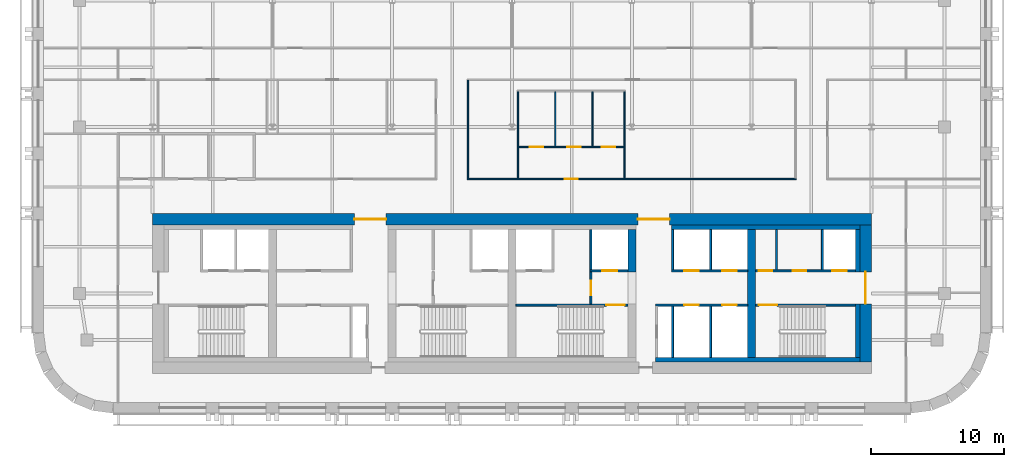
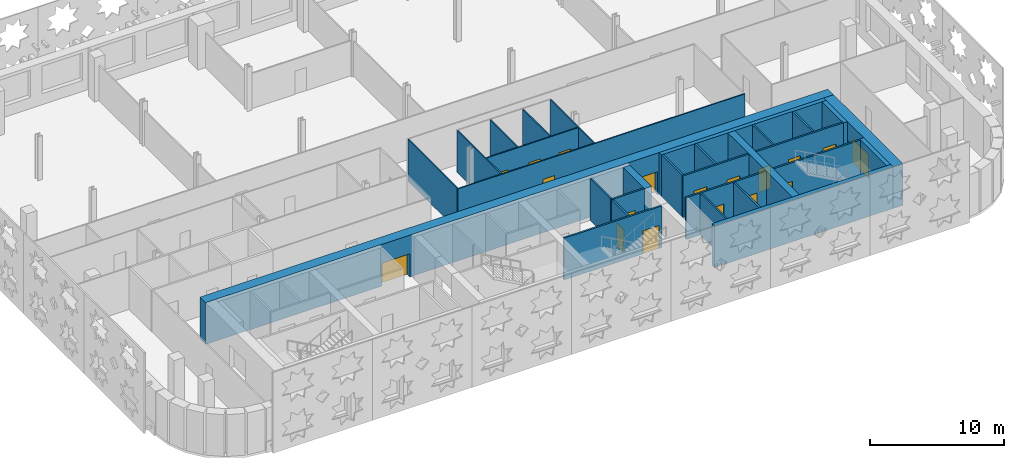
# One storey, part 5 of 12: 29 walls, 18 doors, 18 openings.
"""IFC4 building model written with IfcOpenShell, lengths in metres."""

from ifc_helpers import new_model, si_unit, direction, frame, frame_2d, origin, place, context, subcontext, project, spatial, rectangle, extrude, material, layer, layer_set, type_object, element, fill, save


model = new_model("IFC4")

# Units and contexts
model_context = context("Model", 3, precision=1e-05, world=origin(), true_north=direction((0.0, 1.0)))
body_context = subcontext(model_context, "Body", "Model", "MODEL_VIEW")
ifc_project = project(units=[si_unit("LENGTHUNIT", "METRE"), si_unit("AREAUNIT", "SQUARE_METRE"), si_unit("VOLUMEUNIT", "CUBIC_METRE"), si_unit("PLANEANGLEUNIT", "RADIAN"), si_unit("MASSUNIT", "GRAM", prefix="KILO")], contexts=[model_context])

# Site, building, storey
site_placement = place(None, origin())
site = spatial("IfcSite", under=ifc_project, at=site_placement, CompositionType="ELEMENT")
building_placement = place(site_placement, origin())
building = spatial("IfcBuilding", under=site, at=building_placement, Name="Zellij Exchange Tower", CompositionType="ELEMENT")
storey_placement = place(building_placement, frame((0.0, 0.0, 196.5)))
storey = spatial("IfcBuildingStorey", under=building, at=storey_placement, Name="L45", CompositionType="ELEMENT", Elevation=196.5)

# Walls
ifc_material_1 = material(Name="Concrete C60/75", Category="concrete")
ifc_layer_1 = layer(ifc_material_1, 0.60009765625)
ifc_layer_set_1 = layer_set([ifc_layer_1], Name="Concrete C60/75")
wall_type_1 = type_object("IfcWallType", Name="CORE-CW 600 C60/75", PredefinedType="SHEAR", material=ifc_layer_set_1)
wall_1_placement = place(storey_placement, frame((9.0, -6.375, 0.0), z_axis=(0.0, 0.0, 1.0), x_axis=(0.0, 1.0, 0.0)))
element("IfcWall", 1, at=wall_1_placement, inside=storey, type_object=wall_type_1, Name="Core cross wall pier x 9 b L45", PredefinedType="SHEAR", context=body_context, shape_type="SweptSolid", body=[
    extrude(rectangle(XDim=3.175048828125, YDim=0.60009765625, at=frame_2d((1.58740234375, 0.0))), origin(), (0.0, 0.0, 1.0), 3.800048828125),
])
wall_2_placement = place(storey_placement, frame((18.0, -12.800048828125, 0.0), z_axis=(0.0, 0.0, 1.0), x_axis=(0.0, 1.0, 0.0)))
element("IfcWall", 2, at=wall_2_placement, inside=storey, type_object=wall_type_1, Name="Core cross wall x 18 L45", PredefinedType="SHEAR", context=body_context, shape_type="SweptSolid", body=[
    extrude(rectangle(XDim=9.60009765625, YDim=0.60009765625, at=frame_2d((4.800048828125, 0.0))), origin(), (0.0, 0.0, 1.0), 3.800048828125),
])
ifc_material_2 = material(Name="Concrete C30/37", Category="concrete")
ifc_layer_2 = layer(ifc_material_2, 0.35009765625)
ifc_layer_set_2 = layer_set([ifc_layer_2], Name="Concrete C30/37")
wall_type_2 = type_object("IfcWallType", Name="CORE-LW 350 C30/37", PredefinedType="SHEAR", material=ifc_layer_set_2)
wall_3_placement = place(storey_placement, frame((12.0, -3.02490234375, 0.0), z_axis=(0.0, 0.0, 1.0), x_axis=(1.0, 0.0, 0.0)))
element("IfcWall", 3, at=wall_3_placement, inside=storey, type_object=wall_type_2, Name="Core wall lining front.2 L45", PredefinedType="SHEAR", context=body_context, shape_type="SweptSolid", body=[
    extrude(rectangle(XDim=14.14990234375, YDim=0.35009765625, at=frame_2d((7.074951171875, 0.0))), origin(), (0.0, 0.0, 1.0), 3.800048828125),
])
wall_4_placement = place(storey_placement, frame((10.800048828125, -12.97509765625, 0.0), z_axis=(0.0, 0.0, 1.0), x_axis=(1.0, 0.0, 0.0)))
element("IfcWall", 4, at=wall_4_placement, inside=storey, type_object=wall_type_2, Name="Core wall lining rear.2 L45", PredefinedType="SHEAR", context=body_context, shape_type="SweptSolid", body=[
    extrude(rectangle(XDim=15.349853515625, YDim=0.35009765625, at=frame_2d((7.6748046875, 0.0))), origin(), (0.0, 0.0, 1.0), 3.800048828125),
])
wall_5_placement = place(storey_placement, frame((25.97509765625, -12.800048828125, 0.0), z_axis=(0.0, 0.0, 1.0), x_axis=(0.0, 1.0, 0.0)))
element("IfcWall", 5, at=wall_5_placement, inside=storey, type_object=wall_type_2, Name="Core wall lining end e.0 L45", PredefinedType="SHEAR", context=body_context, shape_type="SweptSolid", body=[
    extrude(rectangle(XDim=4.0, YDim=0.35009765625, at=frame_2d((2.0, 0.0))), origin(), (0.0, 0.0, 1.0), 3.800048828125),
])
wall_6_placement = place(storey_placement, frame((25.97509765625, -6.375, 0.0), z_axis=(0.0, 0.0, 1.0), x_axis=(0.0, 1.0, 0.0)))
element("IfcWall", 6, at=wall_6_placement, inside=storey, type_object=wall_type_2, Name="Core wall lining end e.1 L45", PredefinedType="SHEAR", context=body_context, shape_type="SweptSolid", body=[
    extrude(rectangle(XDim=3.175048828125, YDim=0.35009765625, at=frame_2d((1.58740234375, 0.0))), origin(), (0.0, 0.0, 1.0), 3.800048828125),
])

# Wall, opening, door
ifc_material_3 = material(Name="Gypsum shaft wall system")
ifc_layer_3 = layer(ifc_material_3, 0.14990234375)
ifc_layer_set_3 = layer_set([ifc_layer_3], Name="Gypsum shaft wall system")
wall_type_3 = type_object("IfcWallType", Name="CORE-PW 150 Firefighting lobby wall", PredefinedType="PARTITIONING", material=ifc_layer_set_3)
wall_7_placement = place(storey_placement, frame((5.925048828125, -8.800048828125, 0.0), z_axis=(0.0, 0.0, 1.0), x_axis=(0.0, 1.0, 0.0)))
wall_7 = element("IfcWall", 7, at=wall_7_placement, inside=storey, type_object=wall_type_3, Name="Firefighting lobby wall L45", PredefinedType="PARTITIONING", context=body_context, shape_type="SweptSolid", body=[
    extrude(rectangle(XDim=2.425048828125, YDim=0.14990234375, at=frame_2d((1.21240234375, 0.0))), origin(), (0.0, 0.0, 1.0), 3.800048828125),
])
opening_1_placement = place(wall_7_placement, frame((0.662109375, 0.0, 0.0)))
opening_1 = element("IfcOpeningElement", 8, at=opening_1_placement, cuts=wall_7, Name="Opening CA-24.14", PredefinedType="OPENING", context=body_context, shape_type="SweptSolid", body=[
    extrude(rectangle(XDim=1.10009765625, YDim=2.10009765625, at=frame_2d((0.550048828125, 1.050048828125))), frame((0.0, 0.0869140625, 0.0), z_axis=(0.0, -1.0, 0.0), x_axis=(1.0, 0.0, 0.0)), (0.0, 0.0, 1.0), 0.173828125),
])
ifc_material_4 = material(Name="Hollow metal fire door")
door_type_1 = type_object("IfcDoorType", Name="CORE-D F Firefighting lobby door 1100x2100 1 HR", OperationType="NOTDEFINED", PredefinedType="DOOR", material=ifc_material_4)
door_1_placement = place(opening_1_placement, origin())
door_1 = element("IfcDoor", 9, at=door_1_placement, inside=storey, type_object=door_type_1, Name="Firefighting lobby door CA-24.14", OperationType="SINGLE_SWING_RIGHT", OverallHeight=2.10009765625, OverallWidth=1.10009765625, PredefinedType="DOOR", context=body_context, shape_type="SweptSolid", body=[
    extrude(rectangle(XDim=1.10009765625, YDim=2.10009765625, at=frame_2d((0.550048828125, 1.050048828125))), frame((0.0, 0.02490234375, 0.0), z_axis=(0.0, -1.0, 0.0), x_axis=(1.0, 0.0, 0.0)), (0.0, 0.0, 1.0), 0.050048828125),
])
fill(opening_1, door_1)

# Walls
ifc_material_5 = material(Name="Gypsum board partition")
ifc_layer_4 = layer(ifc_material_5, 0.14990234375)
ifc_layer_set_4 = layer_set([ifc_layer_4], Name="Gypsum board partition")
wall_type_4 = type_object("IfcWallType", Name="CORE-PW 150 Lift lobby wall", PredefinedType="PARTITIONING", material=ifc_layer_set_4)
wall_8_placement = place(storey_placement, frame((19.875, -6.22509765625, 0.0), z_axis=(0.0, 0.0, 1.0), x_axis=(0.0, 1.0, 0.0)))
element("IfcWall", 10, at=wall_8_placement, inside=storey, type_object=wall_type_4, Name="Lift lobby wall L45", PredefinedType="PARTITIONING", context=body_context, shape_type="SweptSolid", body=[
    extrude(rectangle(XDim=3.025146484375, YDim=0.14990234375, at=frame_2d((1.5126953125, 0.0))), origin(), (0.0, 0.0, 1.0), 3.800048828125),
])
ifc_layer_5 = layer(ifc_material_3, 0.14990234375)
ifc_layer_set_5 = layer_set([ifc_layer_5], Name="Gypsum shaft wall system")
wall_type_5 = type_object("IfcWallType", Name="CORE-PW 150 Lift shaft wall", PredefinedType="PARTITIONING", material=ifc_layer_set_5)
for number, where, z_axis, x_axis, name in (
    (11, (5.925048828125, -6.22509765625, 0.0), (0.0, 0.0, 1.0), (0.0, 1.0, 0.0), "Lift shaft wall L45"),
    (12, (12.074951171875, -6.22509765625, 0.0), (0.0, 0.0, 1.0), (0.0, 1.0, 0.0), "Lift shaft wall L45"),
    (13, (14.925048828125, -6.22509765625, 0.0), (0.0, 0.0, 1.0), (0.0, 1.0, 0.0), "Lift shaft wall L45"),
    (14, (23.324951171875, -6.22509765625, 0.0), (0.0, 0.0, 1.0), (0.0, 1.0, 0.0), "Lift shaft wall L45"),
):
    element("IfcWall", number, at=place(storey_placement, frame(where, z_axis=z_axis, x_axis=x_axis)), inside=storey, type_object=wall_type_5, Name=name, PredefinedType="PARTITIONING", context=body_context, shape_type="SweptSolid", body=[
        extrude(rectangle(XDim=3.025146484375, YDim=0.14990234375, at=frame_2d((1.5126953125, 0.0))), origin(), (0.0, 0.0, 1.0), 3.800048828125),
    ])
for number, where, z_axis, x_axis, name in (
    (15, (12.074951171875, -12.800048828125, 0.0), (0.0, 0.0, 1.0), (0.0, 1.0, 0.0), "Lift shaft wall L45"),
    (16, (14.925048828125, -12.800048828125, 0.0), (0.0, 0.0, 1.0), (0.0, 1.0, 0.0), "Lift shaft wall L45"),
):
    element("IfcWall", number, at=place(storey_placement, frame(where, z_axis=z_axis, x_axis=x_axis)), inside=storey, type_object=wall_type_5, Name=name, PredefinedType="PARTITIONING", context=body_context, shape_type="SweptSolid", body=[
        extrude(rectangle(XDim=3.85009765625, YDim=0.14990234375, at=frame_2d((1.925048828125, 0.0))), origin(), (0.0, 0.0, 1.0), 3.800048828125),
    ])

# Wall, opening, door
wall_9_placement = place(storey_placement, frame((5.85009765625, -6.300048828125, 0.0), z_axis=(0.0, 0.0, 1.0), x_axis=(1.0, 0.0, 0.0)))
wall_9 = element("IfcWall", 17, at=wall_9_placement, inside=storey, type_object=wall_type_5, Name="Lift shaft wall L45", PredefinedType="PARTITIONING", context=body_context, shape_type="SweptSolid", body=[
    extrude(rectangle(XDim=2.849853515625, YDim=0.14990234375, at=frame_2d((1.4248046875, 0.0))), origin(), (0.0, 0.0, 1.0), 3.800048828125),
])
opening_2_placement = place(wall_9_placement, frame((0.949951171875, 0.0, 0.0)))
opening_2 = element("IfcOpeningElement", 18, at=opening_2_placement, cuts=wall_9, Name="Opening CA-24.15", PredefinedType="OPENING", context=body_context, shape_type="SweptSolid", body=[
    extrude(rectangle(XDim=1.10009765625, YDim=2.10009765625, at=frame_2d((0.550048828125, 1.050048828125))), frame((0.0, 0.0869140625, 0.0), z_axis=(0.0, -1.0, 0.0), x_axis=(1.0, 0.0, 0.0)), (0.0, 0.0, 1.0), 0.173828125),
])
door_type_2 = type_object("IfcDoorType", Name="CORE-D LD Lift landing door 1100x2100 1.5 HR", OperationType="NOTDEFINED", PredefinedType="DOOR", material=ifc_material_4)
door_2_placement = place(opening_2_placement, origin())
door_2 = element("IfcDoor", 19, at=door_2_placement, inside=storey, type_object=door_type_2, Name="Lift landing door CA-24.15", OperationType="SLIDING_TO_LEFT", OverallHeight=2.10009765625, OverallWidth=1.10009765625, PredefinedType="DOOR", context=body_context, shape_type="SweptSolid", body=[
    extrude(rectangle(XDim=1.10009765625, YDim=2.10009765625, at=frame_2d((0.550048828125, 1.050048828125))), frame((0.0, 0.02490234375, 0.0), z_axis=(0.0, -1.0, 0.0), x_axis=(1.0, 0.0, 0.0)), (0.0, 0.0, 1.0), 0.050048828125),
])
fill(opening_2, door_2)

# Wall, openings, doors
wall_10_placement = place(storey_placement, frame((12.0, -6.300048828125, 0.0), z_axis=(0.0, 0.0, 1.0), x_axis=(1.0, 0.0, 0.0)))
wall_10 = element("IfcWall", 20, at=wall_10_placement, inside=storey, type_object=wall_type_5, Name="Lift shaft wall L45", PredefinedType="PARTITIONING", context=body_context, shape_type="SweptSolid", body=[
    extrude(rectangle(XDim=5.699951171875, YDim=0.14990234375, at=frame_2d((2.85009765625, 0.0))), origin(), (0.0, 0.0, 1.0), 3.800048828125),
])
opening_3_placement = place(wall_10_placement, frame((0.949951171875, 0.0, 0.0)))
opening_3 = element("IfcOpeningElement", 21, at=opening_3_placement, cuts=wall_10, Name="Opening CA-24.21", PredefinedType="OPENING", context=body_context, shape_type="SweptSolid", body=[
    extrude(rectangle(XDim=1.10009765625, YDim=2.10009765625, at=frame_2d((0.550048828125, 1.050048828125))), frame((0.0, 0.0869140625, 0.0), z_axis=(0.0, -1.0, 0.0), x_axis=(1.0, 0.0, 0.0)), (0.0, 0.0, 1.0), 0.173828125),
])
opening_4_placement = place(wall_10_placement, frame((3.800048828125, 0.0, 0.0)))
opening_4 = element("IfcOpeningElement", 22, at=opening_4_placement, cuts=wall_10, Name="Opening CA-24.23", PredefinedType="OPENING", context=body_context, shape_type="SweptSolid", body=[
    extrude(rectangle(XDim=1.10009765625, YDim=2.10009765625, at=frame_2d((0.550048828125, 1.050048828125))), frame((0.0, 0.0869140625, 0.0), z_axis=(0.0, -1.0, 0.0), x_axis=(1.0, 0.0, 0.0)), (0.0, 0.0, 1.0), 0.173828125),
])
door_3_placement = place(opening_3_placement, origin())
door_3 = element("IfcDoor", 23, at=door_3_placement, inside=storey, type_object=door_type_2, Name="Lift landing door CA-24.21", OperationType="SLIDING_TO_LEFT", OverallHeight=2.10009765625, OverallWidth=1.10009765625, PredefinedType="DOOR", context=body_context, shape_type="SweptSolid", body=[
    extrude(rectangle(XDim=1.10009765625, YDim=2.10009765625, at=frame_2d((0.550048828125, 1.050048828125))), frame((0.0, 0.02490234375, 0.0), z_axis=(0.0, -1.0, 0.0), x_axis=(1.0, 0.0, 0.0)), (0.0, 0.0, 1.0), 0.050048828125),
])
fill(opening_3, door_3)
door_4_placement = place(opening_4_placement, origin())
door_4 = element("IfcDoor", 24, at=door_4_placement, inside=storey, type_object=door_type_2, Name="Lift landing door CA-24.23", OperationType="SLIDING_TO_LEFT", OverallHeight=2.10009765625, OverallWidth=1.10009765625, PredefinedType="DOOR", context=body_context, shape_type="SweptSolid", body=[
    extrude(rectangle(XDim=1.10009765625, YDim=2.10009765625, at=frame_2d((0.550048828125, 1.050048828125))), frame((0.0, 0.02490234375, 0.0), z_axis=(0.0, -1.0, 0.0), x_axis=(1.0, 0.0, 0.0)), (0.0, 0.0, 1.0), 0.050048828125),
])
fill(opening_4, door_4)

wall_11_placement = place(storey_placement, frame((18.300048828125, -6.300048828125, 0.0), z_axis=(0.0, 0.0, 1.0), x_axis=(1.0, 0.0, 0.0)))
wall_11 = element("IfcWall", 25, at=wall_11_placement, inside=storey, type_object=wall_type_5, Name="Lift shaft wall L45", PredefinedType="PARTITIONING", context=body_context, shape_type="SweptSolid", body=[
    extrude(rectangle(XDim=7.5, YDim=0.14990234375, at=frame_2d((3.75, 0.0))), origin(), (0.0, 0.0, 1.0), 3.800048828125),
])
opening_5_placement = place(wall_11_placement, frame((0.25, 0.0, 0.0)))
opening_5 = element("IfcOpeningElement", 26, at=opening_5_placement, cuts=wall_11, Name="Opening CA-24.24", PredefinedType="OPENING", context=body_context, shape_type="SweptSolid", body=[
    extrude(rectangle(XDim=1.0, YDim=2.10009765625, at=frame_2d((0.5, 1.050048828125))), frame((0.0, 0.0869140625, 0.0), z_axis=(0.0, -1.0, 0.0), x_axis=(1.0, 0.0, 0.0)), (0.0, 0.0, 1.0), 0.173828125),
])
opening_6_placement = place(wall_11_placement, frame((2.800048828125, 0.0, 0.0)))
opening_6 = element("IfcOpeningElement", 27, at=opening_6_placement, cuts=wall_11, Name="Opening CA-24.26", PredefinedType="OPENING", context=body_context, shape_type="SweptSolid", body=[
    extrude(rectangle(XDim=1.0, YDim=2.10009765625, at=frame_2d((0.5, 1.050048828125))), frame((0.0, 0.0869140625, 0.0), z_axis=(0.0, -1.0, 0.0), x_axis=(1.0, 0.0, 0.0)), (0.0, 0.0, 1.0), 0.173828125),
])
opening_7_placement = place(wall_11_placement, frame((5.75, 0.0, 0.0)))
opening_7 = element("IfcOpeningElement", 28, at=opening_7_placement, cuts=wall_11, Name="Opening CA-24.27", PredefinedType="OPENING", context=body_context, shape_type="SweptSolid", body=[
    extrude(rectangle(XDim=1.10009765625, YDim=2.10009765625, at=frame_2d((0.550048828125, 1.050048828125))), frame((0.0, 0.0869140625, 0.0), z_axis=(0.0, -1.0, 0.0), x_axis=(1.0, 0.0, 0.0)), (0.0, 0.0, 1.0), 0.173828125),
])
door_type_3 = type_object("IfcDoorType", Name="CORE-D CD Core room door 1000x2100 1 HR", OperationType="NOTDEFINED", PredefinedType="DOOR", material=ifc_material_4)
door_5_placement = place(opening_5_placement, origin())
door_5 = element("IfcDoor", 29, at=door_5_placement, inside=storey, type_object=door_type_3, Name="Core room door CA-24.24", OperationType="SINGLE_SWING_LEFT", OverallHeight=2.10009765625, OverallWidth=1.0, PredefinedType="DOOR", context=body_context, shape_type="SweptSolid", body=[
    extrude(rectangle(XDim=1.0, YDim=2.10009765625, at=frame_2d((0.5, 1.050048828125))), frame((0.0, 0.02490234375, 0.0), z_axis=(0.0, -1.0, 0.0), x_axis=(1.0, 0.0, 0.0)), (0.0, 0.0, 1.0), 0.050048828125),
])
fill(opening_5, door_5)
door_6_placement = place(opening_6_placement, origin())
door_6 = element("IfcDoor", 30, at=door_6_placement, inside=storey, type_object=door_type_3, Name="Core room door CA-24.26", OperationType="SINGLE_SWING_LEFT", OverallHeight=2.10009765625, OverallWidth=1.0, PredefinedType="DOOR", context=body_context, shape_type="SweptSolid", body=[
    extrude(rectangle(XDim=1.0, YDim=2.10009765625, at=frame_2d((0.5, 1.050048828125))), frame((0.0, 0.02490234375, 0.0), z_axis=(0.0, -1.0, 0.0), x_axis=(1.0, 0.0, 0.0)), (0.0, 0.0, 1.0), 0.050048828125),
])
fill(opening_6, door_6)
door_7_placement = place(opening_7_placement, origin())
door_7 = element("IfcDoor", 31, at=door_7_placement, inside=storey, type_object=door_type_2, Name="Lift landing door CA-24.27", OperationType="SLIDING_TO_LEFT", OverallHeight=2.10009765625, OverallWidth=1.10009765625, PredefinedType="DOOR", context=body_context, shape_type="SweptSolid", body=[
    extrude(rectangle(XDim=1.10009765625, YDim=2.10009765625, at=frame_2d((0.550048828125, 1.050048828125))), frame((0.0, 0.02490234375, 0.0), z_axis=(0.0, -1.0, 0.0), x_axis=(1.0, 0.0, 0.0)), (0.0, 0.0, 1.0), 0.050048828125),
])
fill(opening_7, door_7)

wall_12_placement = place(storey_placement, frame((10.800048828125, -8.875, 0.0), z_axis=(0.0, 0.0, 1.0), x_axis=(1.0, 0.0, 0.0)))
wall_12 = element("IfcWall", 32, at=wall_12_placement, inside=storey, type_object=wall_type_5, Name="Lift shaft wall L45", PredefinedType="PARTITIONING", context=body_context, shape_type="SweptSolid", body=[
    extrude(rectangle(XDim=6.89990234375, YDim=0.14990234375, at=frame_2d((3.449951171875, 0.0))), origin(), (0.0, 0.0, 1.0), 3.800048828125),
])
opening_8_placement = place(wall_12_placement, frame((2.14990234375, 0.0, 0.0)))
opening_8 = element("IfcOpeningElement", 33, at=opening_8_placement, cuts=wall_12, Name="Opening CA-24.20", PredefinedType="OPENING", context=body_context, shape_type="SweptSolid", body=[
    extrude(rectangle(XDim=1.10009765625, YDim=2.10009765625, at=frame_2d((0.550048828125, 1.050048828125))), frame((0.0, 0.0869140625, 0.0), z_axis=(0.0, -1.0, 0.0), x_axis=(1.0, 0.0, 0.0)), (0.0, 0.0, 1.0), 0.173828125),
])
opening_9_placement = place(wall_12_placement, frame((5.0, 0.0, 0.0)))
opening_9 = element("IfcOpeningElement", 34, at=opening_9_placement, cuts=wall_12, Name="Opening CA-24.22", PredefinedType="OPENING", context=body_context, shape_type="SweptSolid", body=[
    extrude(rectangle(XDim=1.10009765625, YDim=2.10009765625, at=frame_2d((0.550048828125, 1.050048828125))), frame((0.0, 0.0869140625, 0.0), z_axis=(0.0, -1.0, 0.0), x_axis=(1.0, 0.0, 0.0)), (0.0, 0.0, 1.0), 0.173828125),
])
door_8_placement = place(opening_8_placement, origin())
door_8 = element("IfcDoor", 35, at=door_8_placement, inside=storey, type_object=door_type_2, Name="Lift landing door CA-24.20", OperationType="SLIDING_TO_RIGHT", OverallHeight=2.10009765625, OverallWidth=1.10009765625, PredefinedType="DOOR", context=body_context, shape_type="SweptSolid", body=[
    extrude(rectangle(XDim=1.10009765625, YDim=2.10009765625, at=frame_2d((0.550048828125, 1.050048828125))), frame((0.0, 0.02490234375, 0.0), z_axis=(0.0, -1.0, 0.0), x_axis=(1.0, 0.0, 0.0)), (0.0, 0.0, 1.0), 0.050048828125),
])
fill(opening_8, door_8)
door_9_placement = place(opening_9_placement, origin())
door_9 = element("IfcDoor", 36, at=door_9_placement, inside=storey, type_object=door_type_2, Name="Lift landing door CA-24.22", OperationType="SLIDING_TO_RIGHT", OverallHeight=2.10009765625, OverallWidth=1.10009765625, PredefinedType="DOOR", context=body_context, shape_type="SweptSolid", body=[
    extrude(rectangle(XDim=1.10009765625, YDim=2.10009765625, at=frame_2d((0.550048828125, 1.050048828125))), frame((0.0, 0.02490234375, 0.0), z_axis=(0.0, -1.0, 0.0), x_axis=(1.0, 0.0, 0.0)), (0.0, 0.0, 1.0), 0.050048828125),
])
fill(opening_9, door_9)

ifc_layer_6 = layer(ifc_material_1, 0.85009765625)
ifc_layer_set_6 = layer_set([ifc_layer_6], Name="Concrete C60/75")
wall_type_6 = type_object("IfcWallType", Name="CORE-SW 850 C60/75", PredefinedType="SHEAR", material=ifc_layer_set_6)
wall_13_placement = place(storey_placement, frame((-27.0, -2.425048828125, 0.0), z_axis=(0.0, 0.0, 1.0), x_axis=(1.0, 0.0, 0.0)))
wall_13 = element("IfcWall", 37, at=wall_13_placement, inside=storey, type_object=wall_type_6, Name="Core shear wall front L45", PredefinedType="SHEAR", context=body_context, shape_type="SweptSolid", body=[
    extrude(rectangle(XDim=54.0, YDim=0.85009765625, at=frame_2d((27.0, 0.0))), origin(), (0.0, 0.0, 1.0), 3.800048828125),
])
opening_10_placement = place(wall_13_placement, frame((15.14990234375, 0.0, 0.0)))
opening_10 = element("IfcOpeningElement", 38, at=opening_10_placement, cuts=wall_13, Name="Opening CA-24.08", PredefinedType="OPENING", context=body_context, shape_type="SweptSolid", body=[
    extrude(rectangle(XDim=2.39990234375, YDim=2.10009765625, at=frame_2d((1.199951171875, 1.050048828125))), frame((0.0, 0.43701171875, 0.0), z_axis=(0.0, -1.0, 0.0), x_axis=(1.0, 0.0, 0.0)), (0.0, 0.0, 1.0), 0.8740234375),
])
opening_11_placement = place(wall_13_placement, frame((36.449951171875, 0.0, 0.0)))
opening_11 = element("IfcOpeningElement", 39, at=opening_11_placement, cuts=wall_13, Name="Opening CA-24.18", PredefinedType="OPENING", context=body_context, shape_type="SweptSolid", body=[
    extrude(rectangle(XDim=2.39990234375, YDim=2.10009765625, at=frame_2d((1.199951171875, 1.050048828125))), frame((0.0, 0.43701171875, 0.0), z_axis=(0.0, -1.0, 0.0), x_axis=(1.0, 0.0, 0.0)), (0.0, 0.0, 1.0), 0.8740234375),
])
door_type_4 = type_object("IfcDoorType", Name="CORE-D CE Core entrance door 2400x2100 20 MIN", OperationType="NOTDEFINED", PredefinedType="DOOR", material=ifc_material_4)
door_10_placement = place(opening_10_placement, origin())
door_10 = element("IfcDoor", 40, at=door_10_placement, inside=storey, type_object=door_type_4, Name="Core entrance door CA-24.08", OperationType="DOUBLE_DOOR_SINGLE_SWING", OverallHeight=2.10009765625, OverallWidth=2.39990234375, PredefinedType="DOOR", context=body_context, shape_type="SweptSolid", body=[
    extrude(rectangle(XDim=2.39990234375, YDim=2.10009765625, at=frame_2d((1.199951171875, 1.050048828125))), frame((0.0, 0.02490234375, 0.0), z_axis=(0.0, -1.0, 0.0), x_axis=(1.0, 0.0, 0.0)), (0.0, 0.0, 1.0), 0.050048828125),
])
fill(opening_10, door_10)
door_11_placement = place(opening_11_placement, origin())
door_11 = element("IfcDoor", 41, at=door_11_placement, inside=storey, type_object=door_type_4, Name="Core entrance door CA-24.18", OperationType="DOUBLE_DOOR_SINGLE_SWING", OverallHeight=2.10009765625, OverallWidth=2.39990234375, PredefinedType="DOOR", context=body_context, shape_type="SweptSolid", body=[
    extrude(rectangle(XDim=2.39990234375, YDim=2.10009765625, at=frame_2d((1.199951171875, 1.050048828125))), frame((0.0, 0.02490234375, 0.0), z_axis=(0.0, -1.0, 0.0), x_axis=(1.0, 0.0, 0.0)), (0.0, 0.0, 1.0), 0.050048828125),
])
fill(opening_11, door_11)

# Wall, opening, door
wall_14_placement = place(storey_placement, frame((26.574951171875, -13.14990234375, 0.0), z_axis=(0.0, 0.0, 1.0), x_axis=(0.0, 1.0, 0.0)))
wall_14 = element("IfcWall", 42, at=wall_14_placement, inside=storey, type_object=wall_type_6, Name="Core shear wall end e L45", PredefinedType="SHEAR", context=body_context, shape_type="SweptSolid", body=[
    extrude(rectangle(XDim=10.2998046875, YDim=0.85009765625, at=frame_2d((5.14990234375, 0.0))), origin(), (0.0, 0.0, 1.0), 3.800048828125),
])
opening_12_placement = place(wall_14_placement, frame((4.362060546875, 0.0, 0.0)))
opening_12 = element("IfcOpeningElement", 43, at=opening_12_placement, cuts=wall_14, Name="Opening CA-24.28", PredefinedType="OPENING", context=body_context, shape_type="SweptSolid", body=[
    extrude(rectangle(XDim=2.39990234375, YDim=2.10009765625, at=frame_2d((1.199951171875, 1.050048828125))), frame((0.0, 0.43701171875, 0.0), z_axis=(0.0, -1.0, 0.0), x_axis=(1.0, 0.0, 0.0)), (0.0, 0.0, 1.0), 0.8740234375),
])
door_12_placement = place(opening_12_placement, origin())
door_12 = element("IfcDoor", 44, at=door_12_placement, inside=storey, type_object=door_type_4, Name="Core entrance door CA-24.28", OperationType="DOUBLE_DOOR_SINGLE_SWING", OverallHeight=2.10009765625, OverallWidth=2.39990234375, PredefinedType="DOOR", context=body_context, shape_type="SweptSolid", body=[
    extrude(rectangle(XDim=2.39990234375, YDim=2.10009765625, at=frame_2d((1.199951171875, 1.050048828125))), frame((0.0, 0.02490234375, 0.0), z_axis=(0.0, -1.0, 0.0), x_axis=(1.0, 0.0, 0.0)), (0.0, 0.0, 1.0), 0.050048828125),
])
fill(opening_12, door_12)

ifc_layer_7 = layer(ifc_material_1, 0.14990234375)
ifc_layer_set_7 = layer_set([ifc_layer_7], Name="Concrete C60/75")
wall_type_7 = type_object("IfcWallType", Name="CORE-SWS 150 C60/75", PredefinedType="SHEAR", material=ifc_layer_set_7)
wall_15_placement = place(storey_placement, frame((0.300048828125, -8.875, 0.0), z_axis=(0.0, 0.0, 1.0), x_axis=(1.0, 0.0, 0.0)))
wall_15 = element("IfcWall", 45, at=wall_15_placement, inside=storey, type_object=wall_type_7, Name="Stair enclosure wall L45", PredefinedType="SHEAR", context=body_context, shape_type="SweptSolid", body=[
    extrude(rectangle(XDim=8.39990234375, YDim=0.14990234375, at=frame_2d((4.199951171875, 0.0))), origin(), (0.0, 0.0, 1.0), 3.800048828125),
])
opening_13_placement = place(wall_15_placement, frame((6.77490234375, 0.0, 0.0)))
opening_13 = element("IfcOpeningElement", 46, at=opening_13_placement, cuts=wall_15, Name="Opening CA-24.16", PredefinedType="OPENING", context=body_context, shape_type="SweptSolid", body=[
    extrude(rectangle(XDim=1.39990234375, YDim=2.10009765625, at=frame_2d((0.699951171875, 1.050048828125))), frame((0.0, 0.0869140625, 0.0), z_axis=(0.0, -1.0, 0.0), x_axis=(1.0, 0.0, 0.0)), (0.0, 0.0, 1.0), 0.173828125),
])
door_type_5 = type_object("IfcDoorType", Name="CORE-D SD Stair door 1400x2100 1.5 HR", OperationType="NOTDEFINED", PredefinedType="DOOR", material=ifc_material_4)
door_13_placement = place(opening_13_placement, origin())
door_13 = element("IfcDoor", 47, at=door_13_placement, inside=storey, type_object=door_type_5, Name="Stair door CA-24.16", OperationType="DOUBLE_DOOR_SINGLE_SWING", OverallHeight=2.10009765625, OverallWidth=1.39990234375, PredefinedType="DOOR", context=body_context, shape_type="SweptSolid", body=[
    extrude(rectangle(XDim=1.39990234375, YDim=2.10009765625, at=frame_2d((0.699951171875, 1.050048828125))), frame((0.0, 0.02490234375, 0.0), z_axis=(0.0, -1.0, 0.0), x_axis=(1.0, 0.0, 0.0)), (0.0, 0.0, 1.0), 0.050048828125),
])
fill(opening_13, door_13)

wall_16_placement = place(storey_placement, frame((18.300048828125, -8.875, 0.0), z_axis=(0.0, 0.0, 1.0), x_axis=(1.0, 0.0, 0.0)))
wall_16 = element("IfcWall", 48, at=wall_16_placement, inside=storey, type_object=wall_type_7, Name="Stair enclosure wall L45", PredefinedType="SHEAR", context=body_context, shape_type="SweptSolid", body=[
    extrude(rectangle(XDim=7.5, YDim=0.14990234375, at=frame_2d((3.75, 0.0))), origin(), (0.0, 0.0, 1.0), 3.800048828125),
])
opening_14_placement = place(wall_16_placement, frame((0.22509765625, 0.0, 0.0)))
opening_14 = element("IfcOpeningElement", 49, at=opening_14_placement, cuts=wall_16, Name="Opening CA-24.25", PredefinedType="OPENING", context=body_context, shape_type="SweptSolid", body=[
    extrude(rectangle(XDim=1.39990234375, YDim=2.10009765625, at=frame_2d((0.699951171875, 1.050048828125))), frame((0.0, 0.0869140625, 0.0), z_axis=(0.0, -1.0, 0.0), x_axis=(1.0, 0.0, 0.0)), (0.0, 0.0, 1.0), 0.173828125),
])
door_14_placement = place(opening_14_placement, origin())
door_14 = element("IfcDoor", 50, at=door_14_placement, inside=storey, type_object=door_type_5, Name="Stair door CA-24.25", OperationType="DOUBLE_DOOR_SINGLE_SWING", OverallHeight=2.10009765625, OverallWidth=1.39990234375, PredefinedType="DOOR", context=body_context, shape_type="SweptSolid", body=[
    extrude(rectangle(XDim=1.39990234375, YDim=2.10009765625, at=frame_2d((0.699951171875, 1.050048828125))), frame((0.0, 0.02490234375, 0.0), z_axis=(0.0, -1.0, 0.0), x_axis=(1.0, 0.0, 0.0)), (0.0, 0.0, 1.0), 0.050048828125),
])
fill(opening_14, door_14)

ifc_material_6 = material(Name="Gypsum board partition on steel studs", Category="steel")
ifc_layer_8 = layer(ifc_material_6, 0.10009765625)
ifc_layer_set_8 = layer_set([ifc_layer_8], Name="Gypsum board partition on steel studs")
wall_type_8 = type_object("IfcWallType", Name="FIT-PARTITION-100", PredefinedType="PARTITIONING", material=ifc_layer_set_8)
wall_17_placement = place(storey_placement, frame((-3.35009765625, 0.60009765625, 0.0), z_axis=(0.0, 0.0, 1.0), x_axis=(1.0, 0.0, 0.0)))
wall_17 = element("IfcWall", 51, at=wall_17_placement, inside=storey, type_object=wall_type_8, Name="FIT-PARTITION-100 013", PredefinedType="PARTITIONING", context=body_context, shape_type="SweptSolid", body=[
    extrude(rectangle(XDim=24.7001953125, YDim=0.10009765625, at=frame_2d((12.35009765625, 0.0))), origin(), (0.0, 0.0, 1.0), 3.800048828125),
])
opening_15_placement = place(wall_17_placement, frame((7.300048828125, 0.0, 0.0)))
opening_15 = element("IfcOpeningElement", 52, at=opening_15_placement, cuts=wall_17, Name="Opening O3D.08", PredefinedType="OPENING", context=body_context, shape_type="SweptSolid", body=[
    extrude(rectangle(XDim=1.0, YDim=2.10009765625, at=frame_2d((0.5, 1.050048828125))), frame((0.0, 0.06201171875, 0.0), z_axis=(0.0, -1.0, 0.0), x_axis=(1.0, 0.0, 0.0)), (0.0, 0.0, 1.0), 0.1240234375),
])
ifc_material_7 = material(Name="Timber door set", Category="wood")
door_type_6 = type_object("IfcDoorType", Name="FIT-D2-WIDE-1000X2100", OperationType="SINGLE_SWING_LEFT", PredefinedType="DOOR", material=ifc_material_7)
door_15_placement = place(opening_15_placement, origin())
door_15 = element("IfcDoor", 53, at=door_15_placement, inside=storey, type_object=door_type_6, Name="Door O3D.08", OperationType="SINGLE_SWING_LEFT", OverallHeight=2.10009765625, OverallWidth=1.0, PredefinedType="DOOR", context=body_context, shape_type="SweptSolid", body=[
    extrude(rectangle(XDim=1.0, YDim=2.10009765625, at=frame_2d((0.5, 1.050048828125))), frame((0.0, 0.02490234375, 0.0), z_axis=(0.0, -1.0, 0.0), x_axis=(1.0, 0.0, 0.0)), (0.0, 0.0, 1.0), 0.050048828125),
])
fill(opening_15, door_15)

# Walls
wall_18_placement = place(storey_placement, frame((-3.300048828125, 0.64990234375, 0.0), z_axis=(0.0, 0.0, 1.0), x_axis=(0.0, 1.0, 0.0)))
element("IfcWall", 54, at=wall_18_placement, inside=storey, type_object=wall_type_8, Name="FIT-PARTITION-100 014", PredefinedType="PARTITIONING", context=body_context, shape_type="SweptSolid", body=[
    extrude(rectangle(XDim=7.35009765625, YDim=0.10009765625, at=frame_2d((3.675048828125, 0.0))), origin(), (0.0, 0.0, 1.0), 3.800048828125),
])
for number, where, z_axis, x_axis, name in (
    (55, (0.449951171875, 0.64990234375, 0.0), (0.0, 0.0, 1.0), (0.0, 1.0, 0.0), "FIT-PARTITION-100 015"),
    (56, (8.449951171875, 0.64990234375, 0.0), (0.0, 0.0, 1.0), (0.0, 1.0, 0.0), "FIT-PARTITION-100 016"),
):
    element("IfcWall", number, at=place(storey_placement, frame(where, z_axis=z_axis, x_axis=x_axis)), inside=storey, type_object=wall_type_8, Name=name, PredefinedType="PARTITIONING", context=body_context, shape_type="SweptSolid", body=[
        extrude(rectangle(XDim=6.5, YDim=0.10009765625, at=frame_2d((3.25, 0.0))), origin(), (0.0, 0.0, 1.0), 3.800048828125),
    ])

# Wall, openings, doors
wall_19_placement = place(storey_placement, frame((0.5, 3.0, 0.0), z_axis=(0.0, 0.0, 1.0), x_axis=(1.0, 0.0, 0.0)))
wall_19 = element("IfcWall", 57, at=wall_19_placement, inside=storey, type_object=wall_type_8, Name="FIT-PARTITION-100 020", PredefinedType="PARTITIONING", context=body_context, shape_type="SweptSolid", body=[
    extrude(rectangle(XDim=7.89990234375, YDim=0.10009765625, at=frame_2d((3.949951171875, 0.0))), origin(), (0.0, 0.0, 1.0), 3.800048828125),
])
opening_16_placement = place(wall_19_placement, frame((0.85009765625, 0.0, 0.0)))
opening_16 = element("IfcOpeningElement", 58, at=opening_16_placement, cuts=wall_19, Name="Opening O3D.09", PredefinedType="OPENING", context=body_context, shape_type="SweptSolid", body=[
    extrude(rectangle(XDim=1.0, YDim=2.10009765625, at=frame_2d((0.5, 1.050048828125))), frame((0.0, 0.06201171875, 0.0), z_axis=(0.0, -1.0, 0.0), x_axis=(1.0, 0.0, 0.0)), (0.0, 0.0, 1.0), 0.1240234375),
])
opening_17_placement = place(wall_19_placement, frame((3.64990234375, 0.0, 0.0)))
opening_17 = element("IfcOpeningElement", 59, at=opening_17_placement, cuts=wall_19, Name="Opening O3D.10", PredefinedType="OPENING", context=body_context, shape_type="SweptSolid", body=[
    extrude(rectangle(XDim=1.0, YDim=2.10009765625, at=frame_2d((0.5, 1.050048828125))), frame((0.0, 0.06201171875, 0.0), z_axis=(0.0, -1.0, 0.0), x_axis=(1.0, 0.0, 0.0)), (0.0, 0.0, 1.0), 0.1240234375),
])
opening_18_placement = place(wall_19_placement, frame((6.25, 0.0, 0.0)))
opening_18 = element("IfcOpeningElement", 60, at=opening_18_placement, cuts=wall_19, Name="Opening O3D.11", PredefinedType="OPENING", context=body_context, shape_type="SweptSolid", body=[
    extrude(rectangle(XDim=1.0, YDim=2.10009765625, at=frame_2d((0.5, 1.050048828125))), frame((0.0, 0.06201171875, 0.0), z_axis=(0.0, -1.0, 0.0), x_axis=(1.0, 0.0, 0.0)), (0.0, 0.0, 1.0), 0.1240234375),
])
door_16_placement = place(opening_16_placement, origin())
door_16 = element("IfcDoor", 61, at=door_16_placement, inside=storey, type_object=door_type_6, Name="Door O3D.09", OperationType="SINGLE_SWING_LEFT", OverallHeight=2.10009765625, OverallWidth=1.0, PredefinedType="DOOR", context=body_context, shape_type="SweptSolid", body=[
    extrude(rectangle(XDim=1.0, YDim=2.10009765625, at=frame_2d((0.5, 1.050048828125))), frame((0.0, 0.02490234375, 0.0), z_axis=(0.0, -1.0, 0.0), x_axis=(1.0, 0.0, 0.0)), (0.0, 0.0, 1.0), 0.050048828125),
])
fill(opening_16, door_16)
door_17_placement = place(opening_17_placement, origin())
door_17 = element("IfcDoor", 62, at=door_17_placement, inside=storey, type_object=door_type_6, Name="Door O3D.10", OperationType="SINGLE_SWING_LEFT", OverallHeight=2.10009765625, OverallWidth=1.0, PredefinedType="DOOR", context=body_context, shape_type="SweptSolid", body=[
    extrude(rectangle(XDim=1.0, YDim=2.10009765625, at=frame_2d((0.5, 1.050048828125))), frame((0.0, 0.02490234375, 0.0), z_axis=(0.0, -1.0, 0.0), x_axis=(1.0, 0.0, 0.0)), (0.0, 0.0, 1.0), 0.050048828125),
])
fill(opening_17, door_17)
door_18_placement = place(opening_18_placement, origin())
door_18 = element("IfcDoor", 63, at=door_18_placement, inside=storey, type_object=door_type_6, Name="Door O3D.11", OperationType="SINGLE_SWING_LEFT", OverallHeight=2.10009765625, OverallWidth=1.0, PredefinedType="DOOR", context=body_context, shape_type="SweptSolid", body=[
    extrude(rectangle(XDim=1.0, YDim=2.10009765625, at=frame_2d((0.5, 1.050048828125))), frame((0.0, 0.02490234375, 0.0), z_axis=(0.0, -1.0, 0.0), x_axis=(1.0, 0.0, 0.0)), (0.0, 0.0, 1.0), 0.050048828125),
])
fill(opening_18, door_18)

# Walls
for number, where, z_axis, x_axis, name in (
    (64, (3.25, 3.050048828125, 0.0), (0.0, 0.0, 1.0), (0.0, 1.0, 0.0), "FIT-PARTITION-100 021"),
    (65, (6.050048828125, 3.050048828125, 0.0), (0.0, 0.0, 1.0), (0.0, 1.0, 0.0), "FIT-PARTITION-100 022"),
):
    element("IfcWall", number, at=place(storey_placement, frame(where, z_axis=z_axis, x_axis=x_axis)), inside=storey, type_object=wall_type_8, Name=name, PredefinedType="PARTITIONING", context=body_context, shape_type="SweptSolid", body=[
        extrude(rectangle(XDim=4.099853515625, YDim=0.10009765625, at=frame_2d((2.0498046875, 0.0))), origin(), (0.0, 0.0, 1.0), 3.800048828125),
    ])

save(model, "model.ifc")
